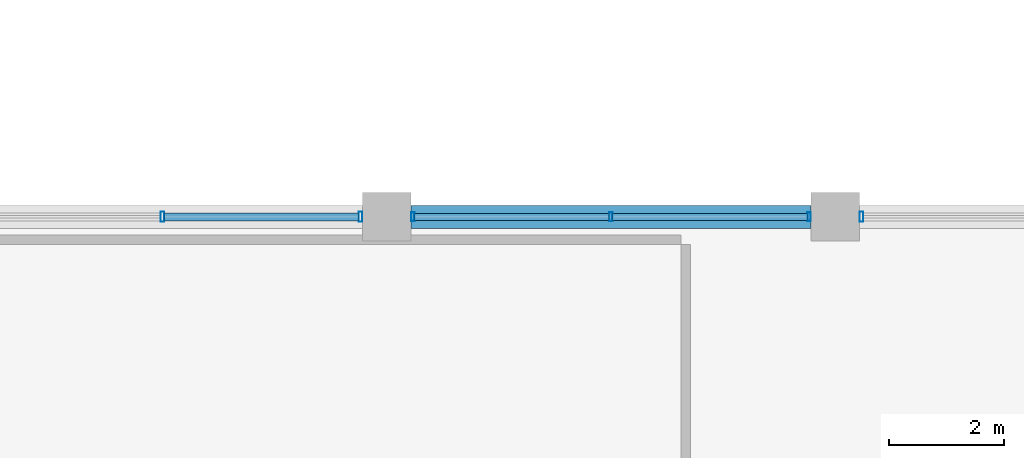
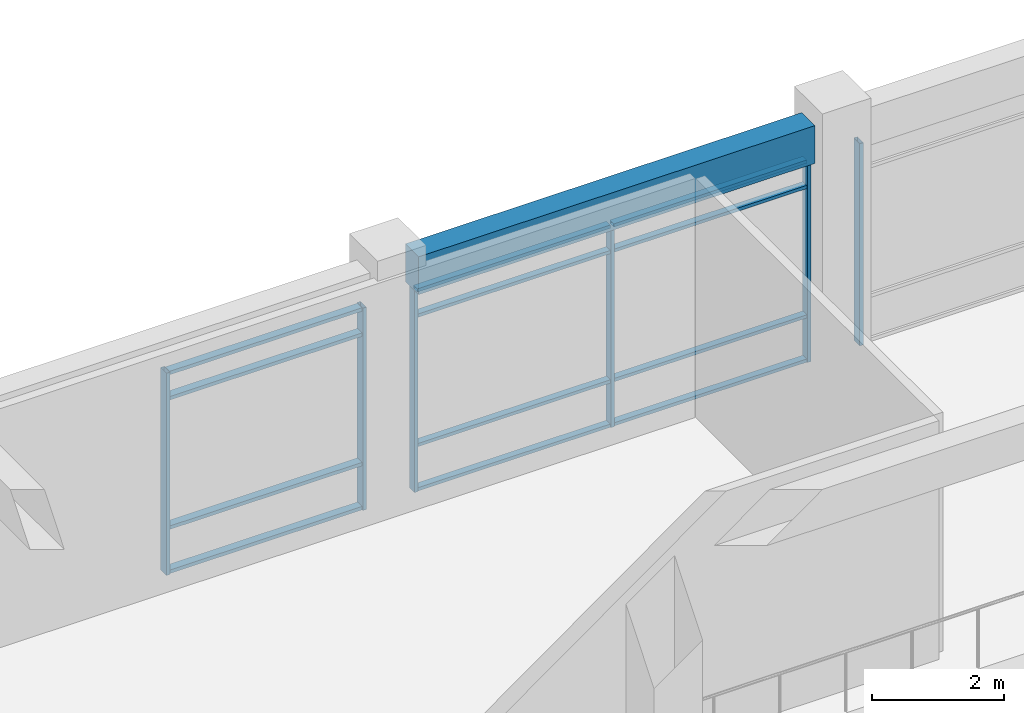
# One storey, part 17 of 79: 18 members, 1 beam, 3 elements without a shape of their own.
"""IFC4 building model written with IfcOpenShell, lengths in metres."""

from ifc_helpers import new_model, si_unit, direction, frame, origin, origin_2d, place, context, subcontext, project, spatial, rectangle, hollow_rectangle, extrude, material, material_profile, profile_set, type_object, element, aggregate, save


model = new_model("IFC4")

# Units and contexts
model_context = context("Model", 3, precision=1e-05, world=origin(), true_north=direction((0.0, 1.0)))
body_context = subcontext(model_context, "Body", "Model", "MODEL_VIEW")
ifc_project = project(units=[si_unit("LENGTHUNIT", "METRE"), si_unit("AREAUNIT", "SQUARE_METRE"), si_unit("VOLUMEUNIT", "CUBIC_METRE"), si_unit("PLANEANGLEUNIT", "RADIAN"), si_unit("MASSUNIT", "GRAM", prefix="KILO"), si_unit("THERMODYNAMICTEMPERATUREUNIT", "KELVIN"), si_unit("POWERUNIT", "WATT")], contexts=[model_context])

# Site, building, storey
site_placement = place(None, origin())
site = spatial("IfcSite", under=ifc_project, at=site_placement, CompositionType="ELEMENT")
building_placement = place(site_placement, origin())
building = spatial("IfcBuilding", under=site, at=building_placement, Name="Srebrne Nadtorze General Hospital", CompositionType="ELEMENT")
storey_placement = place(building_placement, frame((0.0, 0.0, 4.800048828125)))
storey = spatial("IfcBuildingStorey", under=building, at=storey_placement, Name="L01", CompositionType="ELEMENT", Elevation=4.800048828125)

# Curtain wall, members
ifc_material_1 = material(Name="Anodised Aluminium", Category="aluminium")
curtain_wall_type_1 = type_object("IfcCurtainWallType", Name="Unitised curtain wall 6950x3750", PredefinedType="NOTDEFINED", material=ifc_material_1)
curtain_wall_1_placement = place(storey_placement, origin())
curtain_wall_1 = element("IfcCurtainWall", 1, at=curtain_wall_1_placement, inside=storey, type_object=curtain_wall_type_1, Name="Curtain wall CW-046", PredefinedType="NOTDEFINED")
ifc_material_2 = material(Name="Anodised Aluminium", Category="aluminium")
ifc_material_profile_1 = material_profile(ifc_material_2, hollow_rectangle(XDim=0.06005859375, YDim=0.14990234375, WallThickness=0.00390625, at=origin_2d()), Name="AL-MUL-60x150")
ifc_profile_set_1 = profile_set([ifc_material_profile_1], Name="Anodised Aluminium")
member_type_1 = type_object("IfcMemberType", Name="Curtain mullion 60x150", PredefinedType="MULLION", material=ifc_profile_set_1)
member_1_placement = place(storey_placement, frame((86.2548828125, 25.199951171875, 0.0), z_axis=(0.0, 0.0, 1.0), x_axis=(1.0, 0.0, 0.0)))
member_1 = element("IfcMember", 2, at=member_1_placement, type_object=member_type_1, Name="CW-046 mullion 1", PredefinedType="MULLION", context=body_context, shape_type="SweptSolid", body=[
    extrude(hollow_rectangle(XDim=0.06005859375, YDim=0.14990234375, WallThickness=0.00390625, at=origin_2d()), origin(), (0.0, 0.0, 1.0), 3.75),
])
member_2_placement = place(storey_placement, frame((89.699951171875, 25.199951171875, 0.0), z_axis=(0.0, 0.0, 1.0), x_axis=(1.0, 0.0, 0.0)))
member_2 = element("IfcMember", 3, at=member_2_placement, type_object=member_type_1, Name="CW-046 mullion 2", PredefinedType="MULLION", context=body_context, shape_type="SweptSolid", body=[
    extrude(hollow_rectangle(XDim=0.06005859375, YDim=0.14990234375, WallThickness=0.00390625, at=origin_2d()), origin(), (0.0, 0.0, 1.0), 3.75),
])
member_3_placement = place(storey_placement, frame((93.14501953125, 25.199951171875, 0.0), z_axis=(0.0, 0.0, 1.0), x_axis=(1.0, 0.0, 0.0)))
member_3 = element("IfcMember", 4, at=member_3_placement, type_object=member_type_1, Name="CW-046 mullion 3", PredefinedType="MULLION", context=body_context, shape_type="SweptSolid", body=[
    extrude(hollow_rectangle(XDim=0.06005859375, YDim=0.14990234375, WallThickness=0.00390625, at=origin_2d()), origin(), (0.0, 0.0, 1.0), 3.75),
])

curtain_wall_2_placement = place(storey_placement, origin())
curtain_wall_2 = element("IfcCurtainWall", 5, at=curtain_wall_2_placement, inside=storey, type_object=curtain_wall_type_1, Name="Curtain wall CW-045", PredefinedType="NOTDEFINED")
ifc_material_3 = material(Name="Anodised Aluminium", Category="aluminium")
ifc_material_profile_2 = material_profile(ifc_material_3, hollow_rectangle(XDim=0.06494140625, YDim=0.179931640625, WallThickness=0.00390625, at=origin_2d()), Name="AL-MUL-65x180")
ifc_profile_set_2 = profile_set([ifc_material_profile_2], Name="Anodised Aluminium")
member_type_2 = type_object("IfcMemberType", Name="Curtain mullion 65x180", PredefinedType="MULLION", material=ifc_profile_set_2)
member_4_placement = place(storey_placement, frame((81.89990234375, 25.199951171875, 0.0), z_axis=(0.0, 0.0, 1.0), x_axis=(1.0, 0.0, 0.0)))
member_4 = element("IfcMember", 6, at=member_4_placement, type_object=member_type_2, Name="CW-045 mullion 2", PredefinedType="MULLION", context=body_context, shape_type="SweptSolid", body=[
    extrude(hollow_rectangle(XDim=0.06494140625, YDim=0.179931640625, WallThickness=0.00390625, at=origin_2d()), origin(), (0.0, 0.0, 1.0), 3.75),
])
member_5_placement = place(storey_placement, frame((85.342529296875, 25.199951171875, 0.0), z_axis=(0.0, 0.0, 1.0), x_axis=(1.0, 0.0, 0.0)))
member_5 = element("IfcMember", 7, at=member_5_placement, type_object=member_type_2, Name="CW-045 mullion 3", PredefinedType="MULLION", context=body_context, shape_type="SweptSolid", body=[
    extrude(hollow_rectangle(XDim=0.06494140625, YDim=0.179931640625, WallThickness=0.00390625, at=origin_2d()), origin(), (0.0, 0.0, 1.0), 3.75),
])

# Curtain wall, member
ifc_material_4 = material(Name="Anodised Aluminium", Category="aluminium")
curtain_wall_type_2 = type_object("IfcCurtainWallType", Name="Unitised curtain wall 6925x3750", PredefinedType="NOTDEFINED", material=ifc_material_4)
curtain_wall_3_placement = place(storey_placement, origin())
curtain_wall_3 = element("IfcCurtainWall", 8, at=curtain_wall_3_placement, inside=storey, type_object=curtain_wall_type_2, Name="Curtain wall CW-047", PredefinedType="NOTDEFINED")
member_6_placement = place(storey_placement, frame((94.0576171875, 25.199951171875, 0.0), z_axis=(0.0, 0.0, 1.0), x_axis=(1.0, 0.0, 0.0)))
member_6 = element("IfcMember", 9, at=member_6_placement, type_object=member_type_2, Name="CW-047 mullion 1", PredefinedType="MULLION", context=body_context, shape_type="SweptSolid", body=[
    extrude(hollow_rectangle(XDim=0.06494140625, YDim=0.179931640625, WallThickness=0.00390625, at=origin_2d()), origin(), (0.0, 0.0, 1.0), 3.75),
])
aggregate(curtain_wall_3, [member_6])

# Member
ifc_material_5 = material(Name="Anodised Aluminium", Category="aluminium")
ifc_material_profile_3 = material_profile(ifc_material_5, hollow_rectangle(XDim=0.06005859375, YDim=0.1201171875, WallThickness=0.00390625, at=origin_2d()), Name="AL-TRN-60x120")
ifc_profile_set_3 = profile_set([ifc_material_profile_3], Name="Anodised Aluminium")
member_type_3 = type_object("IfcMemberType", Name="Curtain transom 60x120", PredefinedType="USERDEFINED", material=ifc_profile_set_3)
member_7_placement = place(storey_placement, frame((86.284912109375, 25.199951171875, 0.030029296875), z_axis=(1.0, 0.0, 0.0), x_axis=(0.0, 0.0, 1.0)))
member_7 = element("IfcMember", 10, at=member_7_placement, type_object=member_type_3, Name="CW-046 transom 1.1", ObjectType="TRANSOM", PredefinedType="USERDEFINED", context=body_context, shape_type="SweptSolid", body=[
    extrude(hollow_rectangle(XDim=0.06005859375, YDim=0.1201171875, WallThickness=0.00390625, at=origin_2d()), origin(), (0.0, 0.0, 1.0), 3.385009765625),
])

member_8_placement = place(storey_placement, frame((86.284912109375, 25.199951171875, 0.849853515625), z_axis=(1.0, 0.0, 0.0), x_axis=(0.0, 0.0, 1.0)))
member_8 = element("IfcMember", 11, at=member_8_placement, type_object=member_type_3, Name="CW-046 transom 1.2", ObjectType="TRANSOM", PredefinedType="USERDEFINED", context=body_context, shape_type="SweptSolid", body=[
    extrude(hollow_rectangle(XDim=0.06005859375, YDim=0.1201171875, WallThickness=0.00390625, at=origin_2d()), origin(), (0.0, 0.0, 1.0), 3.385009765625),
])

member_9_placement = place(storey_placement, frame((86.284912109375, 25.199951171875, 3.25), z_axis=(1.0, 0.0, 0.0), x_axis=(0.0, 0.0, 1.0)))
member_9 = element("IfcMember", 12, at=member_9_placement, type_object=member_type_3, Name="CW-046 transom 1.3", ObjectType="TRANSOM", PredefinedType="USERDEFINED", context=body_context, shape_type="SweptSolid", body=[
    extrude(hollow_rectangle(XDim=0.06005859375, YDim=0.1201171875, WallThickness=0.00390625, at=origin_2d()), origin(), (0.0, 0.0, 1.0), 3.385009765625),
])

member_10_placement = place(storey_placement, frame((86.284912109375, 25.199951171875, 3.719970703125), z_axis=(1.0, 0.0, 0.0), x_axis=(0.0, 0.0, 1.0)))
member_10 = element("IfcMember", 13, at=member_10_placement, type_object=member_type_3, Name="CW-046 transom 1.4", ObjectType="TRANSOM", PredefinedType="USERDEFINED", context=body_context, shape_type="SweptSolid", body=[
    extrude(hollow_rectangle(XDim=0.06005859375, YDim=0.1201171875, WallThickness=0.00390625, at=origin_2d()), origin(), (0.0, 0.0, 1.0), 3.385009765625),
])

member_11_placement = place(storey_placement, frame((89.72998046875, 25.199951171875, 0.030029296875), z_axis=(1.0, 0.0, 0.0), x_axis=(0.0, 0.0, 1.0)))
member_11 = element("IfcMember", 14, at=member_11_placement, type_object=member_type_3, Name="CW-046 transom 2.1", ObjectType="TRANSOM", PredefinedType="USERDEFINED", context=body_context, shape_type="SweptSolid", body=[
    extrude(hollow_rectangle(XDim=0.06005859375, YDim=0.1201171875, WallThickness=0.00390625, at=origin_2d()), origin(), (0.0, 0.0, 1.0), 3.385009765625),
])

member_12_placement = place(storey_placement, frame((89.72998046875, 25.199951171875, 0.849853515625), z_axis=(1.0, 0.0, 0.0), x_axis=(0.0, 0.0, 1.0)))
member_12 = element("IfcMember", 15, at=member_12_placement, type_object=member_type_3, Name="CW-046 transom 2.2", ObjectType="TRANSOM", PredefinedType="USERDEFINED", context=body_context, shape_type="SweptSolid", body=[
    extrude(hollow_rectangle(XDim=0.06005859375, YDim=0.1201171875, WallThickness=0.00390625, at=origin_2d()), origin(), (0.0, 0.0, 1.0), 3.385009765625),
])

member_13_placement = place(storey_placement, frame((89.72998046875, 25.199951171875, 3.25), z_axis=(1.0, 0.0, 0.0), x_axis=(0.0, 0.0, 1.0)))
member_13 = element("IfcMember", 16, at=member_13_placement, type_object=member_type_3, Name="CW-046 transom 2.3", ObjectType="TRANSOM", PredefinedType="USERDEFINED", context=body_context, shape_type="SweptSolid", body=[
    extrude(hollow_rectangle(XDim=0.06005859375, YDim=0.1201171875, WallThickness=0.00390625, at=origin_2d()), origin(), (0.0, 0.0, 1.0), 3.385009765625),
])

member_14_placement = place(storey_placement, frame((89.72998046875, 25.199951171875, 3.719970703125), z_axis=(1.0, 0.0, 0.0), x_axis=(0.0, 0.0, 1.0)))
member_14 = element("IfcMember", 17, at=member_14_placement, type_object=member_type_3, Name="CW-046 transom 2.4", ObjectType="TRANSOM", PredefinedType="USERDEFINED", context=body_context, shape_type="SweptSolid", body=[
    extrude(hollow_rectangle(XDim=0.06005859375, YDim=0.1201171875, WallThickness=0.00390625, at=origin_2d()), origin(), (0.0, 0.0, 1.0), 3.385009765625),
])

aggregate(curtain_wall_1, [member_1, member_2, member_3, member_7, member_8, member_9, member_10, member_11, member_12, member_13, member_14])

ifc_material_6 = material(Name="Anodised Aluminium", Category="aluminium")
ifc_material_profile_4 = material_profile(ifc_material_6, hollow_rectangle(XDim=0.06494140625, YDim=0.139892578125, WallThickness=0.00390625, at=origin_2d()), Name="AL-TRN-65x140")
ifc_profile_set_4 = profile_set([ifc_material_profile_4], Name="Anodised Aluminium")
member_type_4 = type_object("IfcMemberType", Name="Curtain transom 65x140", PredefinedType="USERDEFINED", material=ifc_profile_set_4)
member_15_placement = place(storey_placement, frame((81.9326171875, 25.199951171875, 0.032470703125), z_axis=(1.0, 0.0, 0.0), x_axis=(0.0, 0.0, 1.0)))
member_15 = element("IfcMember", 18, at=member_15_placement, type_object=member_type_4, Name="CW-045 transom 2.1", ObjectType="TRANSOM", PredefinedType="USERDEFINED", context=body_context, shape_type="SweptSolid", body=[
    extrude(hollow_rectangle(XDim=0.06494140625, YDim=0.139892578125, WallThickness=0.00390625, at=origin_2d()), origin(), (0.0, 0.0, 1.0), 3.37744140625),
])

member_16_placement = place(storey_placement, frame((81.9326171875, 25.199951171875, 0.849853515625), z_axis=(1.0, 0.0, 0.0), x_axis=(0.0, 0.0, 1.0)))
member_16 = element("IfcMember", 19, at=member_16_placement, type_object=member_type_4, Name="CW-045 transom 2.2", ObjectType="TRANSOM", PredefinedType="USERDEFINED", context=body_context, shape_type="SweptSolid", body=[
    extrude(hollow_rectangle(XDim=0.06494140625, YDim=0.139892578125, WallThickness=0.00390625, at=origin_2d()), origin(), (0.0, 0.0, 1.0), 3.37744140625),
])

member_17_placement = place(storey_placement, frame((81.9326171875, 25.199951171875, 3.25), z_axis=(1.0, 0.0, 0.0), x_axis=(0.0, 0.0, 1.0)))
member_17 = element("IfcMember", 20, at=member_17_placement, type_object=member_type_4, Name="CW-045 transom 2.3", ObjectType="TRANSOM", PredefinedType="USERDEFINED", context=body_context, shape_type="SweptSolid", body=[
    extrude(hollow_rectangle(XDim=0.06494140625, YDim=0.139892578125, WallThickness=0.00390625, at=origin_2d()), origin(), (0.0, 0.0, 1.0), 3.37744140625),
])

member_18_placement = place(storey_placement, frame((81.9326171875, 25.199951171875, 3.717529296875), z_axis=(1.0, 0.0, 0.0), x_axis=(0.0, 0.0, 1.0)))
member_18 = element("IfcMember", 21, at=member_18_placement, type_object=member_type_4, Name="CW-045 transom 2.4", ObjectType="TRANSOM", PredefinedType="USERDEFINED", context=body_context, shape_type="SweptSolid", body=[
    extrude(hollow_rectangle(XDim=0.06494140625, YDim=0.139892578125, WallThickness=0.00390625, at=origin_2d()), origin(), (0.0, 0.0, 1.0), 3.37744140625),
])

aggregate(curtain_wall_2, [member_4, member_5, member_15, member_16, member_17, member_18])

# Beam
ifc_material_7 = material(Name="Concrete C40/50", Category="concrete")
ifc_material_profile_5 = material_profile(ifc_material_7, rectangle(XDim=0.39990234375, YDim=0.699951171875, at=origin_2d()), Name="RC-BM-400x700")
ifc_profile_set_5 = profile_set([ifc_material_profile_5], Name="Concrete C40/50")
beam_type = type_object("IfcBeamType", Name="Edge beam RC 400x700", PredefinedType="BEAM", material=ifc_profile_set_5)
beam_placement = place(storey_placement, frame((86.22509765625, 25.199951171875, 4.099853515625), z_axis=(1.0, 0.0, 0.0), x_axis=(0.0, 1.0, 0.0)))
element("IfcBeam", 22, at=beam_placement, inside=storey, type_object=beam_type, Name="Beam BM-L01-X-0392", PredefinedType="BEAM", context=body_context, shape_type="SweptSolid", body=[
    extrude(rectangle(XDim=0.39990234375, YDim=0.699951171875, at=origin_2d()), origin(), (0.0, 0.0, 1.0), 6.949951171875),
])

save(model, "model.ifc")
